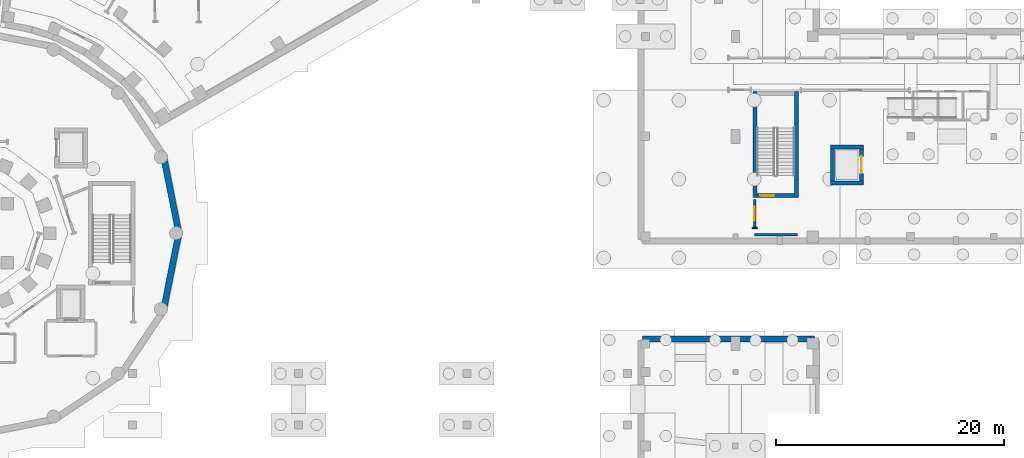
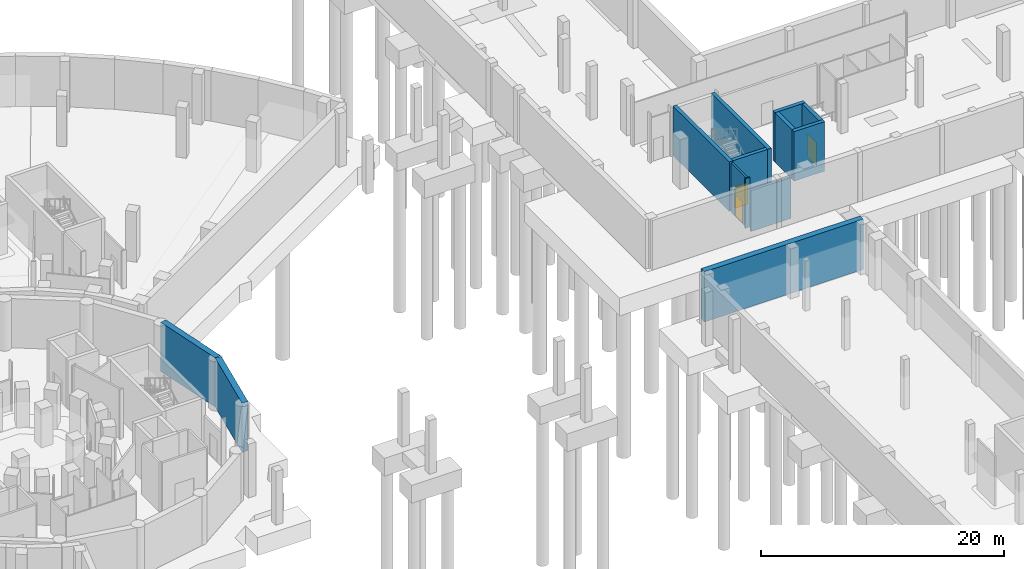
# One storey, part 12 of 33: 13 walls, 3 doors, 3 openings.
"""IFC4 building model written with IfcOpenShell, lengths in metres."""

from ifc_helpers import new_model, si_unit, direction, frame, frame_2d, origin, place, context, subcontext, project, spatial, rectangle, extrude, material, layer, layer_set, type_object, element, fill, save


model = new_model("IFC4")

# Units and contexts
model_context = context("Model", 3, precision=1e-05, world=origin(), true_north=direction((0.0, 1.0)))
body_context = subcontext(model_context, "Body", "Model", "MODEL_VIEW")
ifc_project = project(units=[si_unit("LENGTHUNIT", "METRE"), si_unit("AREAUNIT", "SQUARE_METRE"), si_unit("VOLUMEUNIT", "CUBIC_METRE"), si_unit("PLANEANGLEUNIT", "RADIAN"), si_unit("MASSUNIT", "GRAM", prefix="KILO")], contexts=[model_context])

# Site, building, storey
site_placement = place(None, origin())
site = spatial("IfcSite", under=ifc_project, at=site_placement, CompositionType="ELEMENT")
building_placement = place(site_placement, origin())
building = spatial("IfcBuilding", under=site, at=building_placement, Name="Soyqirgoq Riverine Aquarium", CompositionType="ELEMENT")
storey_placement = place(building_placement, frame((0.0, 0.0, -5.39990234375)))
storey = spatial("IfcBuildingStorey", under=building, at=storey_placement, Name="B01", CompositionType="ELEMENT", Elevation=-5.39990234375)

# Walls
ifc_material_1 = material(Name="Concrete C40/50", Category="concrete")
ifc_layer_1 = layer(ifc_material_1, 0.35009765625)
ifc_layer_set_1 = layer_set([ifc_layer_1], Name="Concrete C40/50")
wall_type_1 = type_object("IfcWallType", Name="CoreShearWall_350_C40", PredefinedType="SHEAR", material=ifc_layer_set_1)
for number, where, z_axis, x_axis, name in (
    (1, (127.97509765625, 60.14990234375, 0.0), (0.0, 0.0, 1.0), (0.0, 1.0, 0.0), "CORE-7 B01 Stair Core Shear Wall SIDE1"),
    (2, (124.324951171875, 69.449951171875, 0.0), (0.0, 0.0, 1.0), (0.0, -1.0, 0.0), "CORE-7 B01 Stair Core Shear Wall SIDE2"),
):
    element("IfcWall", number, at=place(storey_placement, frame(where, z_axis=z_axis, x_axis=x_axis)), inside=storey, type_object=wall_type_1, Name=name, PredefinedType="SHEAR", context=body_context, shape_type="SweptSolid", body=[
        extrude(rectangle(XDim=9.300048828125, YDim=0.35009765625, at=frame_2d((4.64990234375, 0.0))), origin(), (0.0, 0.0, 1.0), 4.97998046875),
    ])

# Wall, opening, door
wall_1_placement = place(storey_placement, frame((124.5, 60.324951171875, 0.0), z_axis=(0.0, 0.0, 1.0), x_axis=(1.0, 0.0, 0.0)))
wall_1 = element("IfcWall", 3, at=wall_1_placement, inside=storey, type_object=wall_type_1, Name="CORE-7 B01 Stair Core Shear Wall FRONT", PredefinedType="SHEAR", context=body_context, shape_type="SweptSolid", body=[
    extrude(rectangle(XDim=3.300048828125, YDim=0.35009765625, at=frame_2d((1.64990234375, 0.0))), origin(), (0.0, 0.0, 1.0), 4.97998046875),
])
opening_1_placement = place(wall_1_placement, frame((0.280029296875, 0.0, 0.0)))
opening_1 = element("IfcOpeningElement", 4, at=opening_1_placement, cuts=wall_1, Name="Opening FD-01", PredefinedType="OPENING", context=body_context, shape_type="SweptSolid", body=[
    extrude(rectangle(XDim=1.25, YDim=2.199951171875, at=frame_2d((0.625, 1.10009765625))), frame((0.0, 0.18505859375, 0.0), z_axis=(0.0, -1.0, 0.0), x_axis=(1.0, 0.0, 0.0)), (0.0, 0.0, 1.0), 0.3701171875),
])
ifc_material_2 = material(Name="Galvanised steel fire-resisting stair door", Category="steel")
door_type_1 = type_object("IfcDoorType", Name="StairFireDoor_1250x2200_EI90", OperationType="NOTDEFINED", PredefinedType="DOOR", material=ifc_material_2)
door_1_placement = place(opening_1_placement, origin())
door_1 = element("IfcDoor", 5, at=door_1_placement, inside=storey, type_object=door_type_1, Name="DR-ST-8-B01 ST-8 B01 Fire-Rated Stairwell Door", OperationType="SINGLE_SWING_LEFT", OverallHeight=2.199951171875, OverallWidth=1.25, PredefinedType="DOOR", context=body_context, shape_type="SweptSolid", body=[
    extrude(rectangle(XDim=1.25, YDim=2.199951171875, at=frame_2d((0.625, 1.10009765625))), frame((0.0, 0.02490234375, 0.0), z_axis=(0.0, -1.0, 0.0), x_axis=(1.0, 0.0, 0.0)), (0.0, 0.0, 1.0), 0.050048828125),
])
fill(opening_1, door_1)

# Wall
wall_2_placement = place(storey_placement, frame((130.945068359375, 61.419921875, 0.0), z_axis=(0.0, 0.0, 1.0), x_axis=(1.0, 0.0, 0.0)))
element("IfcWall", 6, at=wall_2_placement, inside=storey, type_object=wall_type_1, Name="Lift GL-2 Shaft Wall B01 1", PredefinedType="SHEAR", context=body_context, shape_type="SweptSolid", body=[
    extrude(rectangle(XDim=2.909912109375, YDim=0.35009765625, at=frame_2d((1.455078125, 0.0))), origin(), (0.0, 0.0, 1.0), 4.97998046875),
])

# Wall, opening, door
wall_3_placement = place(storey_placement, frame((133.679931640625, 61.594970703125, 0.0), z_axis=(0.0, 0.0, 1.0), x_axis=(0.0, 1.0, 0.0)))
wall_3 = element("IfcWall", 7, at=wall_3_placement, inside=storey, type_object=wall_type_1, Name="Lift GL-2 Shaft Wall B01 2", PredefinedType="SHEAR", context=body_context, shape_type="SweptSolid", body=[
    extrude(rectangle(XDim=2.81005859375, YDim=0.35009765625, at=frame_2d((1.405029296875, 0.0))), origin(), (0.0, 0.0, 1.0), 4.97998046875),
])
opening_2_placement = place(wall_3_placement, frame((0.655029296875, 0.0, 0.0)))
opening_2 = element("IfcOpeningElement", 8, at=opening_2_placement, cuts=wall_3, Name="Opening LD-02", PredefinedType="OPENING", context=body_context, shape_type="SweptSolid", body=[
    extrude(rectangle(XDim=1.5, YDim=2.300048828125, at=frame_2d((0.75, 1.14990234375))), frame((0.0, 0.18505859375, 0.0), z_axis=(0.0, -1.0, 0.0), x_axis=(1.0, 0.0, 0.0)), (0.0, 0.0, 1.0), 0.3701171875),
])
ifc_material_3 = material(Name="Heavy-duty stainless steel bi-parting lift landing door", Category="steel")
door_type_2 = type_object("IfcDoorType", Name="GoodsLiftLandingDoor_1500x2300", OperationType="SLIDING_TO_LEFT", PredefinedType="DOOR", material=ifc_material_3)
door_2_placement = place(opening_2_placement, origin())
door_2 = element("IfcDoor", 9, at=door_2_placement, inside=storey, type_object=door_type_2, Name="LD-GL-2-B01 Lift GL-2 B01 Sliding Landing Door", OperationType="SLIDING_TO_LEFT", OverallHeight=2.300048828125, OverallWidth=1.5, PredefinedType="DOOR", context=body_context, shape_type="SweptSolid", body=[
    extrude(rectangle(XDim=1.5, YDim=2.300048828125, at=frame_2d((0.75, 1.14990234375))), frame((0.0, 0.02490234375, 0.0), z_axis=(0.0, -1.0, 0.0), x_axis=(1.0, 0.0, 0.0)), (0.0, 0.0, 1.0), 0.050048828125),
])
fill(opening_2, door_2)

# Walls
wall_4_placement = place(storey_placement, frame((133.85498046875, 64.580078125, 0.0), z_axis=(0.0, 0.0, 1.0), x_axis=(-1.0, 0.0, 0.0)))
element("IfcWall", 10, at=wall_4_placement, inside=storey, type_object=wall_type_1, Name="Lift GL-2 Shaft Wall B01 3", PredefinedType="SHEAR", context=body_context, shape_type="SweptSolid", body=[
    extrude(rectangle(XDim=2.909912109375, YDim=0.35009765625, at=frame_2d((1.455078125, 0.0))), origin(), (0.0, 0.0, 1.0), 4.97998046875),
])
wall_5_placement = place(storey_placement, frame((131.1201171875, 64.405029296875, 0.0), z_axis=(0.0, 0.0, 1.0), x_axis=(0.0, -1.0, 0.0)))
element("IfcWall", 11, at=wall_5_placement, inside=storey, type_object=wall_type_1, Name="Lift GL-2 Shaft Wall B01 4", PredefinedType="SHEAR", context=body_context, shape_type="SweptSolid", body=[
    extrude(rectangle(XDim=2.81005859375, YDim=0.35009765625, at=frame_2d((1.405029296875, 0.0))), origin(), (0.0, 0.0, 1.0), 4.97998046875),
])
ifc_material_4 = material(Name="Lightweight steel-stud gypsum partition", Category="steel")
ifc_layer_2 = layer(ifc_material_4, 0.1201171875)
ifc_layer_set_2 = layer_set([ifc_layer_2], Name="Lightweight steel-stud gypsum partition")
wall_type_2 = type_object("IfcWallType", Name="PartitionWall_120_Std", PredefinedType="PARTITIONING", material=ifc_layer_set_2)
wall_6_placement = place(storey_placement, frame((124.080078125, 57.449951171875, 0.0), z_axis=(0.0, 0.0, 1.0), x_axis=(1.0, 0.0, 0.0)))
element("IfcWall", 12, at=wall_6_placement, inside=storey, type_object=wall_type_2, Name="V7 B01 Jamb Return Pier", PredefinedType="PARTITIONING", context=body_context, shape_type="SweptSolid", body=[
    extrude(rectangle(XDim=0.43994140625, YDim=0.1201171875, at=frame_2d((0.219970703125, 0.0))), origin(), (0.0, 0.0, 1.0), 4.97998046875),
])

# Wall, opening, door
ifc_material_5 = material(Name="Fire-rated calcium silicate twin-stud partition", Category="gypsum")
ifc_layer_3 = layer(ifc_material_5, 0.199951171875)
ifc_layer_set_3 = layer_set([ifc_layer_3], Name="Fire-rated calcium silicate twin-stud partition")
wall_type_3 = type_object("IfcWallType", Name="PartitionWall_200_EI90", PredefinedType="PARTITIONING", material=ifc_layer_set_3)
wall_7_placement = place(storey_placement, frame((124.300048828125, 59.949951171875, 0.0), z_axis=(0.0, 0.0, 1.0), x_axis=(0.0, -1.0, 0.0)))
wall_7 = element("IfcWall", 13, at=wall_7_placement, inside=storey, type_object=wall_type_3, Name="Lift and Stair Lobby ST-8 Fire Enclosure Wall", PredefinedType="PARTITIONING", context=body_context, shape_type="SweptSolid", body=[
    extrude(rectangle(XDim=2.5, YDim=0.199951171875, at=frame_2d((1.25, 0.0))), origin(), (0.0, 0.0, 1.0), 4.97998046875),
])
opening_3_placement = place(wall_7_placement, frame((0.625, 0.0, 0.0)))
opening_3 = element("IfcOpeningElement", 14, at=opening_3_placement, cuts=wall_7, Name="Opening FD-01", PredefinedType="OPENING", context=body_context, shape_type="SweptSolid", body=[
    extrude(rectangle(XDim=1.25, YDim=2.199951171875, at=frame_2d((0.625, 1.10009765625))), frame((0.0, 0.10986328125, 0.0), z_axis=(0.0, -1.0, 0.0), x_axis=(1.0, 0.0, 0.0)), (0.0, 0.0, 1.0), 0.219970703125),
])
door_3_placement = place(opening_3_placement, origin())
door_3 = element("IfcDoor", 15, at=door_3_placement, inside=storey, type_object=door_type_1, Name="IDR-V7-B01-0207 Lift and Stair Lobby ST-8 Egress Fire Door", OperationType="SINGLE_SWING_LEFT", OverallHeight=2.199951171875, OverallWidth=1.25, PredefinedType="DOOR", context=body_context, shape_type="SweptSolid", body=[
    extrude(rectangle(XDim=1.25, YDim=2.199951171875, at=frame_2d((0.625, 1.10009765625))), frame((0.0, 0.02490234375, 0.0), z_axis=(0.0, -1.0, 0.0), x_axis=(1.0, 0.0, 0.0)), (0.0, 0.0, 1.0), 0.050048828125),
])
fill(opening_3, door_3)

# Walls
ifc_material_6 = material(Name="Concrete C35/45", Category="concrete")
ifc_layer_4 = layer(ifc_material_6, 0.550048828125)
ifc_layer_set_4 = layer_set([ifc_layer_4], Name="Concrete C35/45")
wall_type_4 = type_object("IfcWallType", Name="RetainingWall_550_C35", PredefinedType="USERDEFINED", material=ifc_layer_set_4)
for number, where, z_axis, x_axis, name in (
    (16, (73.688720703125, 56.97314453125, 0.0), (0.0, 0.0, 1.0), (-0.195087791897, -0.980785783672, 0.0), "V1 B01 Perimeter Retaining Wall 001"),
    (17, (72.3525390625, 63.744384765625, 0.0), (0.0, 0.0, 1.0), (0.195087791897, -0.980785783672, 0.0), "V1 B01 Perimeter Retaining Wall 016"),
):
    element("IfcWall", number, at=place(storey_placement, frame(where, z_axis=z_axis, x_axis=x_axis)), inside=storey, type_object=wall_type_4, Name=name, ObjectType="RETAININGWALL", PredefinedType="USERDEFINED", context=body_context, shape_type="SweptSolid", body=[
        extrude(rectangle(XDim=6.84912109375, YDim=0.550048828125, at=frame_2d((3.424560546875, 0.0))), origin(), (0.0, 0.0, 1.0), 4.949951171875),
    ])
wall_8_placement = place(storey_placement, frame((114.4375, 47.699951171875, 0.0), z_axis=(0.0, 0.0, 1.0), x_axis=(1.0, 0.0, 0.0)))
element("IfcWall", 18, at=wall_8_placement, inside=storey, type_object=wall_type_4, Name="V6 B01 Perimeter Retaining Wall 101", ObjectType="RETAININGWALL", PredefinedType="USERDEFINED", context=body_context, shape_type="SweptSolid", body=[
    extrude(rectangle(XDim=15.125, YDim=0.550048828125, at=frame_2d((7.5625, 0.0))), origin(), (0.0, 0.0, 1.0), 5.0498046875),
])
ifc_material_7 = material(Name="Fire-rated masonry shaft wall", Category="masonry")
ifc_layer_5 = layer(ifc_material_7, 0.219970703125)
ifc_layer_set_5 = layer_set([ifc_layer_5], Name="Fire-rated masonry shaft wall")
wall_type_5 = type_object("IfcWallType", Name="RiserShaftWall_220_EI120", PredefinedType="SOLIDWALL", material=ifc_layer_set_5)
wall_9_placement = place(storey_placement, frame((128.0400390625, 56.860107421875, 0.0), z_axis=(0.0, 0.0, 1.0), x_axis=(-1.0, 0.0, 0.0)))
element("IfcWall", 19, at=wall_9_placement, inside=storey, type_object=wall_type_5, Name="Rapid Sand Filtration Basement Plant Partition Wall", PredefinedType="SOLIDWALL", context=body_context, shape_type="SweptSolid", body=[
    extrude(rectangle(XDim=3.780029296875, YDim=0.219970703125, at=frame_2d((1.89013671875, 0.0))), origin(), (0.0, 0.0, 1.0), 4.119873046875),
])

save(model, "model.ifc")
